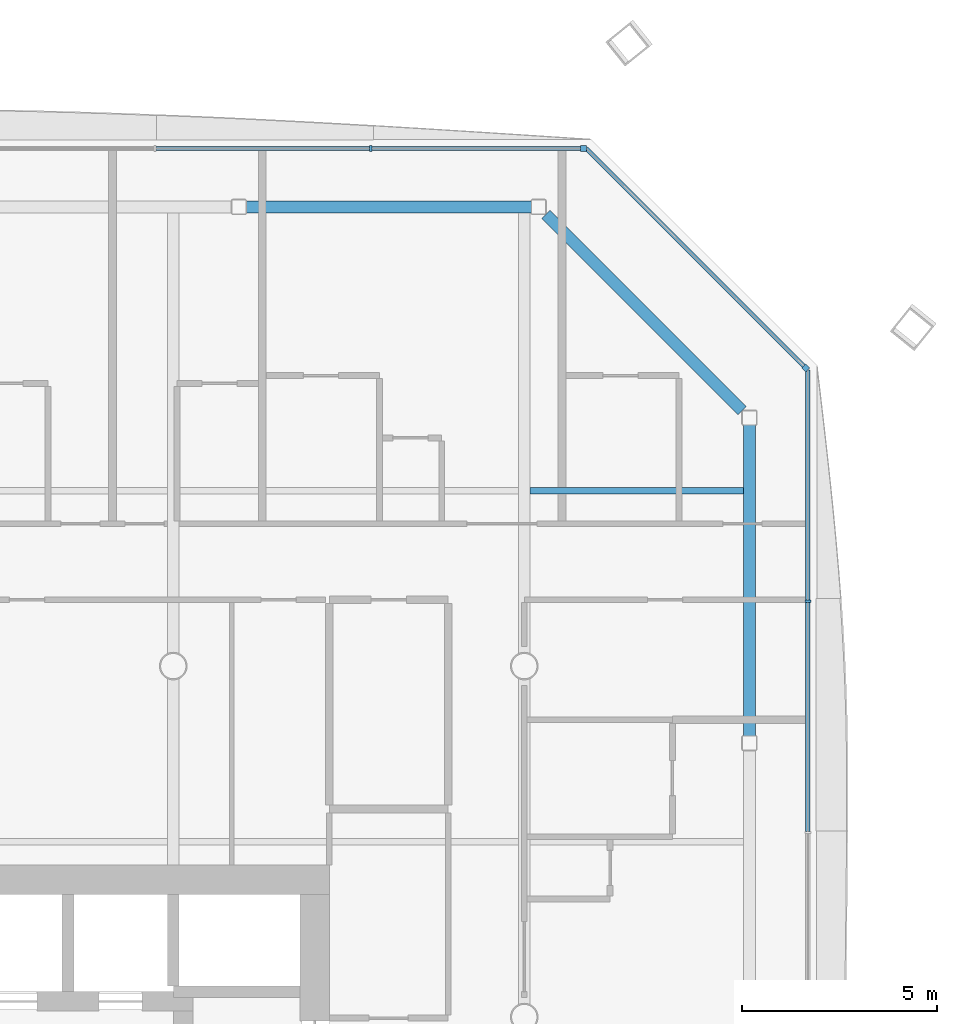
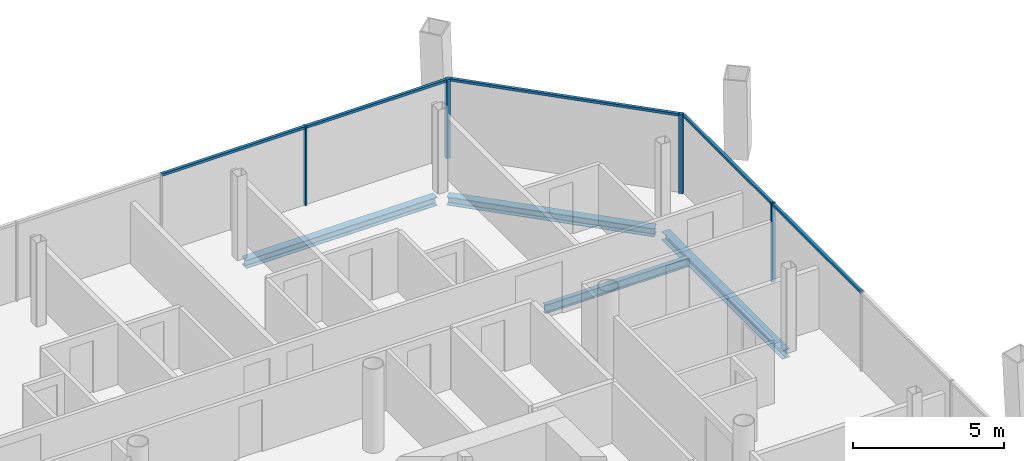
# One storey, part 11 of 21: 9 members, 4 beams, 3 elements without a shape of their own.
"""IFC4 building model written with IfcOpenShell, lengths in metres."""

from ifc_helpers import new_model, si_unit, direction, frame, origin, origin_2d, place, context, subcontext, project, spatial, rectangle, i_section, extrude, material, material_profile, profile_set, type_object, element, aggregate, save


model = new_model("IFC4")

# Units and contexts
model_context = context("Model", 3, precision=1e-05, world=origin(), true_north=direction((0.0, 1.0)))
body_context = subcontext(model_context, "Body", "Model", "MODEL_VIEW")
ifc_project = project(units=[si_unit("LENGTHUNIT", "METRE"), si_unit("AREAUNIT", "SQUARE_METRE"), si_unit("VOLUMEUNIT", "CUBIC_METRE"), si_unit("PLANEANGLEUNIT", "RADIAN"), si_unit("MASSUNIT", "GRAM", prefix="KILO")], contexts=[model_context])

# Site, building, storey
site_placement = place(None, origin())
site = spatial("IfcSite", under=ifc_project, at=site_placement, CompositionType="ELEMENT")
building_placement = place(site_placement, origin())
building = spatial("IfcBuilding", under=site, at=building_placement, Name="Tskaro Facet Tower", CompositionType="ELEMENT")
storey_placement = place(building_placement, frame((0.0, 0.0, 148.699951171875)))
storey = spatial("IfcBuildingStorey", under=building, at=storey_placement, Name="L36", CompositionType="ELEMENT", Elevation=148.699951171875)

# Curtain wall, member
ifc_material_1 = material(Name="Bronze anodised aluminium 6063-T6", Category="aluminium")
curtain_wall_type = type_object("IfcCurtainWallType", Name="Bronze hotel curtain wall (FW2)", PredefinedType="NOTDEFINED", material=ifc_material_1)
curtain_wall_1_placement = place(storey_placement, origin())
curtain_wall_1 = element("IfcCurtainWall", 1, at=curtain_wall_1_placement, inside=storey, type_object=curtain_wall_type, Name="FW2 north-east facet L36", PredefinedType="NOTDEFINED")
ifc_material_profile_1 = material_profile(ifc_material_1, rectangle(XDim=0.14990234375, YDim=0.14990234375, at=origin_2d()), Name="Corner post 150x150")
ifc_profile_set_1 = profile_set([ifc_material_profile_1], Name="Bronze anodised aluminium 6063-T6")
member_type_1 = type_object("IfcMemberType", Name="FW2 bronze corner post 150x150", PredefinedType="MULLION", material=ifc_profile_set_1)
member_1_placement = place(storey_placement, frame((25.218994140625, 16.64501953125, 0.0), z_axis=(0.0, 0.0, 1.0), x_axis=(-0.707106781187, 0.707106781187, 0.0)))
member_1 = element("IfcMember", 2, at=member_1_placement, type_object=member_type_1, Name="FW2 north-east corner post", PredefinedType="MULLION", context=body_context, shape_type="SweptSolid", body=[
    extrude(rectangle(XDim=0.14990234375, YDim=0.14990234375, at=origin_2d()), origin(), (0.0, 0.0, 1.0), 3.199951171875),
])

curtain_wall_2_placement = place(storey_placement, origin())
curtain_wall_2 = element("IfcCurtainWall", 3, at=curtain_wall_2_placement, inside=storey, type_object=curtain_wall_type, Name="FW2 north facet L36", PredefinedType="NOTDEFINED")
member_2_placement = place(storey_placement, frame((19.51708984375, 22.27197265625, 0.0), z_axis=(0.0, 0.0, 1.0), x_axis=(-1.0, 0.0, 0.0)))
member_2 = element("IfcMember", 4, at=member_2_placement, type_object=member_type_1, Name="FW2 north corner post", PredefinedType="MULLION", context=body_context, shape_type="SweptSolid", body=[
    extrude(rectangle(XDim=0.14990234375, YDim=0.14990234375, at=origin_2d()), origin(), (0.0, 0.0, 1.0), 3.199951171875),
])

curtain_wall_3_placement = place(storey_placement, origin())
curtain_wall_3 = element("IfcCurtainWall", 5, at=curtain_wall_3_placement, inside=storey, type_object=curtain_wall_type, Name="FW2 east facet L36", PredefinedType="NOTDEFINED")
ifc_material_profile_2 = material_profile(ifc_material_1, rectangle(XDim=0.06005859375, YDim=0.14990234375, at=origin_2d()), Name="Mullion 60x150")
ifc_profile_set_2 = profile_set([ifc_material_profile_2], Name="Bronze anodised aluminium 6063-T6")
member_type_2 = type_object("IfcMemberType", Name="FW2 bronze mullion 60x150", PredefinedType="MULLION", material=ifc_profile_set_2)
member_3_placement = place(storey_placement, frame((25.27197265625, 10.662841796875, 0.0), z_axis=(0.0, 0.0, 1.0), x_axis=(0.0, 1.0, 0.0)))
member_3 = element("IfcMember", 6, at=member_3_placement, type_object=member_type_2, Name="FW2 east mullion 5", PredefinedType="MULLION", context=body_context, shape_type="SweptSolid", body=[
    extrude(rectangle(XDim=0.06005859375, YDim=0.14990234375, at=origin_2d()), origin(), (0.0, 0.0, 1.0), 3.199951171875),
])

# Member
member_4_placement = place(storey_placement, frame((14.061279296875, 22.27197265625, 0.0), z_axis=(0.0, 0.0, 1.0), x_axis=(-1.0, 0.0, 0.0)))
member_4 = element("IfcMember", 7, at=member_4_placement, type_object=member_type_2, Name="FW2 north mullion 1", PredefinedType="MULLION", context=body_context, shape_type="SweptSolid", body=[
    extrude(rectangle(XDim=0.06005859375, YDim=0.14990234375, at=origin_2d()), origin(), (0.0, 0.0, 1.0), 3.199951171875),
])

ifc_material_profile_3 = material_profile(ifc_material_1, rectangle(XDim=0.110107421875, YDim=0.10009765625, at=origin_2d()), Name="Transom 110x100")
ifc_profile_set_3 = profile_set([ifc_material_profile_3], Name="Bronze anodised aluminium 6063-T6")
member_type_3 = type_object("IfcMemberType", Name="FW2 bronze transom 110x100", PredefinedType="USERDEFINED", material=ifc_profile_set_3)
member_5_placement = place(storey_placement, frame((25.27197265625, 4.763671875, 3.150146484375), z_axis=(0.0, 1.0, 0.0), x_axis=(-1.0, 0.0, 0.0)))
member_5 = element("IfcMember", 8, at=member_5_placement, type_object=member_type_3, Name="FW2 east transom 5.1", ObjectType="TRANSOM", PredefinedType="USERDEFINED", context=body_context, shape_type="SweptSolid", body=[
    extrude(rectangle(XDim=0.110107421875, YDim=0.10009765625, at=origin_2d()), origin(), (0.0, 0.0, 1.0), 5.869140625),
])

member_6_placement = place(storey_placement, frame((25.27197265625, 10.69287109375, 3.150146484375), z_axis=(0.0, 1.0, 0.0), x_axis=(-1.0, 0.0, 0.0)))
member_6 = element("IfcMember", 9, at=member_6_placement, type_object=member_type_3, Name="FW2 east transom 6.1", ObjectType="TRANSOM", PredefinedType="USERDEFINED", context=body_context, shape_type="SweptSolid", body=[
    extrude(rectangle(XDim=0.110107421875, YDim=0.10009765625, at=origin_2d()), origin(), (0.0, 0.0, 1.0), 5.899169921875),
])

aggregate(curtain_wall_3, [member_3, member_5, member_6])

member_7_placement = place(storey_placement, frame((25.166015625, 16.697998046875, 3.150146484375), z_axis=(-0.707106781187, 0.707106781187, 0.0), x_axis=(-0.707106781187, -0.707106781187, 0.0)))
member_7 = element("IfcMember", 10, at=member_7_placement, type_object=member_type_3, Name="FW2 north-east transom 1.1", ObjectType="TRANSOM", PredefinedType="USERDEFINED", context=body_context, shape_type="SweptSolid", body=[
    extrude(rectangle(XDim=0.110107421875, YDim=0.10009765625, at=origin_2d()), origin(), (0.0, 0.0, 1.0), 7.8828125),
])

aggregate(curtain_wall_1, [member_1, member_7])

member_8_placement = place(storey_placement, frame((19.44189453125, 22.27197265625, 3.150146484375), z_axis=(-1.0, 0.0, 0.0), x_axis=(0.0, -1.0, 0.0)))
member_8 = element("IfcMember", 11, at=member_8_placement, type_object=member_type_3, Name="FW2 north transom 1.1", ObjectType="TRANSOM", PredefinedType="USERDEFINED", context=body_context, shape_type="SweptSolid", body=[
    extrude(rectangle(XDim=0.110107421875, YDim=0.10009765625, at=origin_2d()), origin(), (0.0, 0.0, 1.0), 5.3505859375),
])

member_9_placement = place(storey_placement, frame((14.03125, 22.27197265625, 3.150146484375), z_axis=(-1.0, 0.0, 0.0), x_axis=(0.0, -1.0, 0.0)))
member_9 = element("IfcMember", 12, at=member_9_placement, type_object=member_type_3, Name="FW2 north transom 2.1", ObjectType="TRANSOM", PredefinedType="USERDEFINED", context=body_context, shape_type="SweptSolid", body=[
    extrude(rectangle(XDim=0.110107421875, YDim=0.10009765625, at=origin_2d()), origin(), (0.0, 0.0, 1.0), 5.470703125),
])

aggregate(curtain_wall_2, [member_2, member_4, member_8, member_9])

# Beams
ifc_material_2 = material(Name="Steel S355J2", Category="steel")
ifc_material_profile_4 = material_profile(ifc_material_2, i_section(OverallWidth=0.300048828125, OverallDepth=0.340087890625, WebThickness=0.011962890625, FlangeThickness=0.021484375, FilletRadius=0.027099609375, at=origin_2d()), Name="HE 340 B")
ifc_profile_set_4 = profile_set([ifc_material_profile_4], Name="Steel S355J2")
beam_type_1 = type_object("IfcBeamType", Name="HE 340 B ring beam", PredefinedType="BEAM", material=ifc_profile_set_4)
beam_1_placement = place(storey_placement, frame((23.77392578125, 7.2060546875, -0.31005859375), z_axis=(0.0, 1.0, 0.0), x_axis=(-1.0, 0.0, 0.0)))
element("IfcBeam", 13, at=beam_1_placement, inside=storey, type_object=beam_type_1, Name="HE 340 B EB9-3", PredefinedType="BEAM", context=body_context, shape_type="SweptSolid", body=[
    extrude(i_section(OverallWidth=0.300048828125, OverallDepth=0.340087890625, WebThickness=0.011962890625, FlangeThickness=0.021484375, FilletRadius=0.027099609375, at=origin_2d()), origin(), (0.0, 0.0, 1.0), 7.98193359375),
])
beam_2_placement = place(storey_placement, frame((23.588134765625, 15.553955078125, -0.31005859375), z_axis=(-0.707106781187, 0.707106781187, 0.0), x_axis=(-0.707106781187, -0.707106781187, 0.0)))
element("IfcBeam", 14, at=beam_2_placement, inside=storey, type_object=beam_type_1, Name="HE 340 B EB10-3", PredefinedType="BEAM", context=body_context, shape_type="SweptSolid", body=[
    extrude(i_section(OverallWidth=0.300048828125, OverallDepth=0.340087890625, WebThickness=0.011962890625, FlangeThickness=0.021484375, FilletRadius=0.027099609375, at=origin_2d()), origin(), (0.0, 0.0, 1.0), 7.119384765625),
])
beam_3_placement = place(storey_placement, frame((18.18798828125, 20.77392578125, -0.31005859375), z_axis=(-1.0, 0.0, 0.0), x_axis=(0.0, -1.0, 0.0)))
element("IfcBeam", 15, at=beam_3_placement, inside=storey, type_object=beam_type_1, Name="HE 340 B EB11-3", PredefinedType="BEAM", context=body_context, shape_type="SweptSolid", body=[
    extrude(i_section(OverallWidth=0.300048828125, OverallDepth=0.340087890625, WebThickness=0.011962890625, FlangeThickness=0.021484375, FilletRadius=0.027099609375, at=origin_2d()), origin(), (0.0, 0.0, 1.0), 7.323974609375),
])
ifc_material_profile_5 = material_profile(ifc_material_2, i_section(OverallWidth=0.169921875, OverallDepth=0.360107421875, WebThickness=0.008056640625, FlangeThickness=0.0126953125, FilletRadius=0.01806640625, at=origin_2d()), Name="IPE 360")
ifc_profile_set_5 = profile_set([ifc_material_profile_5], Name="Steel S355J2")
beam_type_2 = type_object("IfcBeamType", Name="IPE 360 secondary beam", PredefinedType="BEAM", material=ifc_profile_set_5)
beam_4_placement = place(storey_placement, frame((18.14990234375, 13.5, -0.320068359375), z_axis=(1.0, 0.0, 0.0), x_axis=(0.0, 1.0, 0.0)))
element("IfcBeam", 16, at=beam_4_placement, inside=storey, type_object=beam_type_2, Name="IPE 360 SB5a-5-3", PredefinedType="BEAM", context=body_context, shape_type="SweptSolid", body=[
    extrude(i_section(OverallWidth=0.169921875, OverallDepth=0.360107421875, WebThickness=0.008056640625, FlangeThickness=0.0126953125, FilletRadius=0.01806640625, at=origin_2d()), origin(), (0.0, 0.0, 1.0), 5.47412109375),
])

save(model, "model.ifc")
